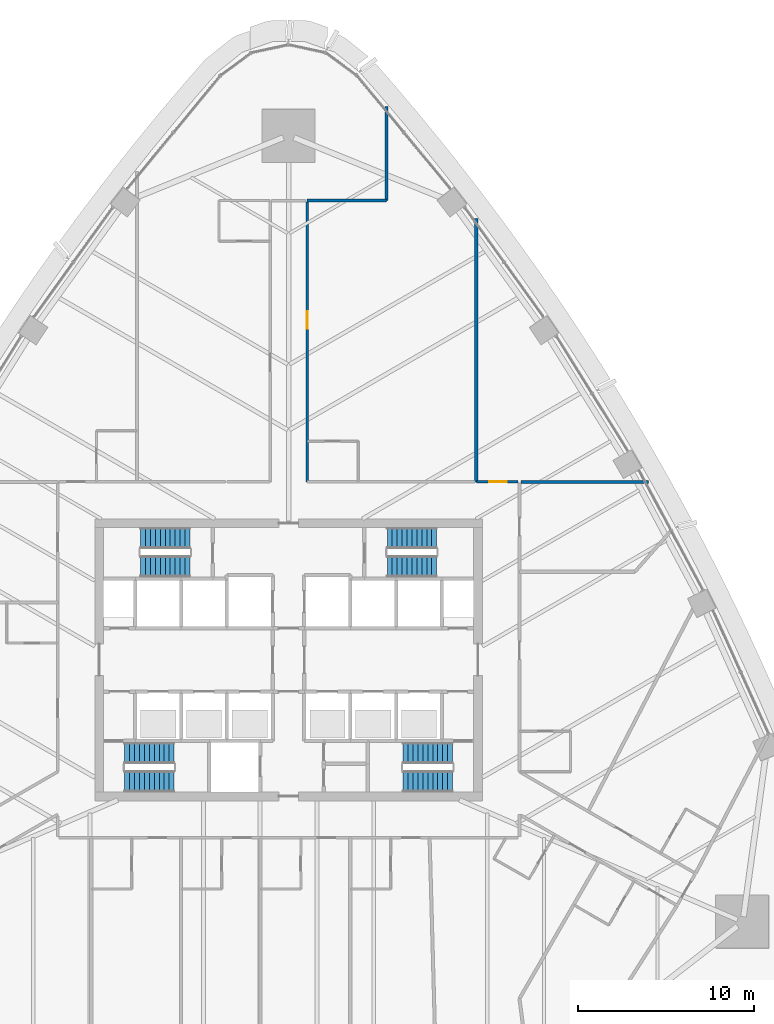
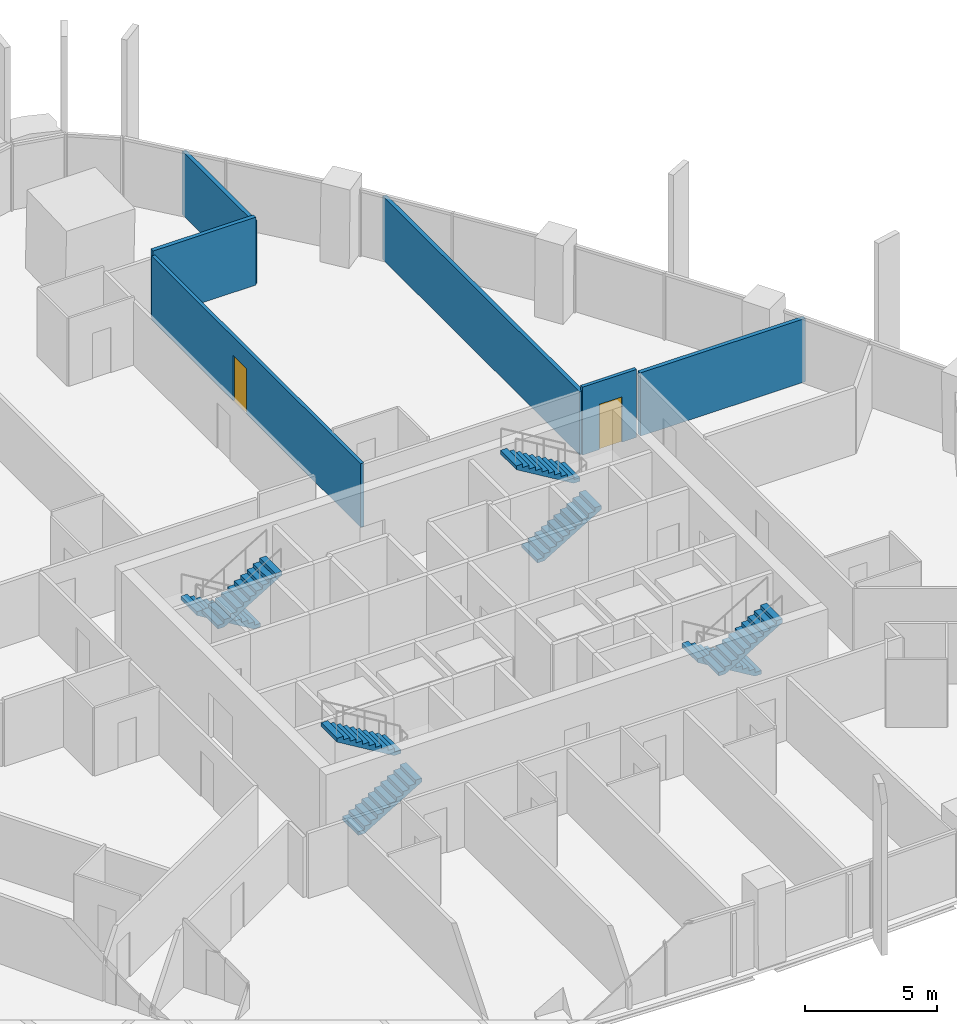
# One storey, part 14 of 22: 8 stair flights, 6 walls, 2 doors, 2 openings, 4 elements without a shape of their own.
"""IFC4 building model written with IfcOpenShell, lengths in metres."""

from ifc_helpers import new_model, si_unit, direction, frame, frame_2d, origin, place, context, subcontext, project, spatial, polyline, rectangle, outline, extrude, material, layer, layer_set, type_object, element, fill, aggregate, save


model = new_model("IFC4")

# Units and contexts
model_context = context("Model", 3, precision=1e-05, world=origin(), true_north=direction((0.0, 1.0)))
body_context = subcontext(model_context, "Body", "Model", "MODEL_VIEW")
ifc_project = project(units=[si_unit("LENGTHUNIT", "METRE"), si_unit("AREAUNIT", "SQUARE_METRE"), si_unit("VOLUMEUNIT", "CUBIC_METRE"), si_unit("PLANEANGLEUNIT", "RADIAN"), si_unit("MASSUNIT", "GRAM", prefix="KILO")], contexts=[model_context])

# Site, building, storey
site_placement = place(None, origin())
site = spatial("IfcSite", under=ifc_project, at=site_placement, CompositionType="ELEMENT")
building_placement = place(site_placement, origin())
building = spatial("IfcBuilding", under=site, at=building_placement, Name="Sierra Prisma Convention Tower", CompositionType="ELEMENT")
storey_placement = place(building_placement, frame((0.0, 0.0, 96.10009765625)))
storey = spatial("IfcBuildingStorey", under=building, at=storey_placement, Name="L20", CompositionType="ELEMENT", Elevation=96.10009765625)

# Wall, opening, door
ifc_material_1 = material(Name="Gypsum board partition", Category="gypsum")
ifc_layer_1 = layer(ifc_material_1, 0.14990234375)
ifc_layer_set_1 = layer_set([ifc_layer_1], Name="Corridor wall 150 gypsum EI 60")
wall_type_1 = type_object("IfcWallType", Name="Corridor wall 150 gypsum EI 60", PredefinedType="PARTITIONING", material=ifc_layer_set_1)
wall_1_placement = place(storey_placement, frame((1.050048828125, 10.10009765625, 0.0), z_axis=(0.0, 0.0, 1.0), x_axis=(0.0, 1.0, 0.0)))
wall_1 = element("IfcWall", 1, at=wall_1_placement, inside=storey, type_object=wall_type_1, Name="Partition L20 corr 12", PredefinedType="PARTITIONING", context=body_context, shape_type="SweptSolid", body=[
    extrude(rectangle(XDim=15.87890625, YDim=0.14990234375, at=frame_2d((7.939453125, 0.0))), origin(), (0.0, 0.0, 1.0), 2.947021484375),
])
opening_1_placement = place(wall_1_placement, frame((8.679443359375, 0.0, 0.0)))
opening_1 = element("IfcOpeningElement", 2, at=opening_1_placement, cuts=wall_1, Name="Opening L20-D040", PredefinedType="OPENING", context=body_context, shape_type="SweptSolid", body=[
    extrude(rectangle(XDim=1.0, YDim=2.10009765625, at=frame_2d((0.5, 1.050048828125))), frame((0.0, 0.074951171875, 0.0), z_axis=(0.0, -1.0, 0.0), x_axis=(1.0, 0.0, 0.0)), (0.0, 0.0, 1.0), 0.14990234375),
])
ifc_material_2 = material(Name="Steel fire door leaf", Category="steel")
door_type = type_object("IfcDoorType", Name="Door 1000x2100 FD30S", OperationType="SINGLE_SWING_LEFT", PredefinedType="DOOR", material=ifc_material_2)
door_1_placement = place(opening_1_placement, origin())
door_1 = element("IfcDoor", 3, at=door_1_placement, inside=storey, type_object=door_type, Name="Door L20 3", OperationType="SINGLE_SWING_RIGHT", OverallHeight=2.10009765625, OverallWidth=1.0, PredefinedType="DOOR", context=body_context, shape_type="SweptSolid", body=[
    extrude(rectangle(XDim=1.0, YDim=2.10009765625, at=frame_2d((0.5, 1.050048828125))), frame((0.0, 0.02490234375, 0.0), z_axis=(0.0, -1.0, 0.0), x_axis=(1.0, 0.0, 0.0)), (0.0, 0.0, 1.0), 0.050048828125),
])
fill(opening_1, door_1)

wall_2_placement = place(storey_placement, frame((13.02001953125, 10.10009765625, 0.0), z_axis=(0.0, 0.0, 1.0), x_axis=(-1.0, 0.0, 0.0)))
wall_2 = element("IfcWall", 4, at=wall_2_placement, inside=storey, type_object=wall_type_1, Name="Partition L20 corr 13", PredefinedType="PARTITIONING", context=body_context, shape_type="SweptSolid", body=[
    extrude(rectangle(XDim=2.3701171875, YDim=0.14990234375, at=frame_2d((1.18505859375, 0.0))), origin(), (0.0, 0.0, 1.0), 3.14990234375),
])
opening_2_placement = place(wall_2_placement, frame((0.635009765625, 0.0, 0.0)))
opening_2 = element("IfcOpeningElement", 5, at=opening_2_placement, cuts=wall_2, Name="Opening L20-D039", PredefinedType="OPENING", context=body_context, shape_type="SweptSolid", body=[
    extrude(rectangle(XDim=1.0, YDim=2.10009765625, at=frame_2d((0.5, 1.050048828125))), frame((0.0, 0.074951171875, 0.0), z_axis=(0.0, -1.0, 0.0), x_axis=(1.0, 0.0, 0.0)), (0.0, 0.0, 1.0), 0.14990234375),
])
door_2_placement = place(opening_2_placement, origin())
door_2 = element("IfcDoor", 6, at=door_2_placement, inside=storey, type_object=door_type, Name="Door L20 2", OperationType="SINGLE_SWING_LEFT", OverallHeight=2.10009765625, OverallWidth=1.0, PredefinedType="DOOR", context=body_context, shape_type="SweptSolid", body=[
    extrude(rectangle(XDim=1.0, YDim=2.10009765625, at=frame_2d((0.5, 1.050048828125))), frame((0.0, 0.02490234375, 0.0), z_axis=(0.0, -1.0, 0.0), x_axis=(1.0, 0.0, 0.0)), (0.0, 0.0, 1.0), 0.050048828125),
])
fill(opening_2, door_2)

# Walls
ifc_material_3 = material(Name="Acoustic gypsum board partition", Category="gypsum")
ifc_layer_2 = layer(ifc_material_3, 0.175048828125)
ifc_layer_set_2 = layer_set([ifc_layer_2], Name="Guest room party wall 175 acoustic EI 60")
wall_type_2 = type_object("IfcWallType", Name="Guest room party wall 175 acoustic EI 60", PredefinedType="PARTITIONING", material=ifc_layer_set_2)
wall_3_placement = place(storey_placement, frame((1.050048828125, 26.05908203125, 0.0), z_axis=(0.0, 0.0, 1.0), x_axis=(1.0, 0.0, 0.0)))
element("IfcWall", 7, at=wall_3_placement, inside=storey, type_object=wall_type_2, Name="Partition L20 hparty 12", PredefinedType="PARTITIONING", context=body_context, shape_type="SweptSolid", body=[
    extrude(rectangle(XDim=4.5, YDim=0.175048828125, at=frame_2d((2.25, 0.0))), origin(), (0.0, 0.0, 1.0), 3.14990234375),
])
wall_4_placement = place(storey_placement, frame((5.550048828125, 26.05908203125, 0.0), z_axis=(0.0, 0.0, 1.0), x_axis=(0.0, 1.0, 0.0)))
element("IfcWall", 8, at=wall_4_placement, inside=storey, type_object=wall_type_2, Name="Partition L20 hparty 13", PredefinedType="PARTITIONING", context=body_context, shape_type="SweptSolid", body=[
    extrude(rectangle(XDim=5.35400390625, YDim=0.175048828125, at=frame_2d((2.677001953125, 0.0))), origin(), (0.0, 0.0, 1.0), 2.933837890625),
])
wall_5_placement = place(storey_placement, frame((10.64990234375, 25.04052734375, 0.0), z_axis=(0.0, 0.0, 1.0), x_axis=(0.0, -1.0, 0.0)))
element("IfcWall", 9, at=wall_5_placement, inside=storey, type_object=wall_type_2, Name="Partition L20 hparty 16", PredefinedType="PARTITIONING", context=body_context, shape_type="SweptSolid", body=[
    extrude(rectangle(XDim=14.9404296875, YDim=0.175048828125, at=frame_2d((7.47021484375, 0.0))), origin(), (0.0, 0.0, 1.0), 2.933837890625),
])
wall_6_placement = place(storey_placement, frame((13.179931640625, 10.10009765625, 0.0), z_axis=(0.0, 0.0, 1.0), x_axis=(1.0, 0.0, 0.0)))
element("IfcWall", 10, at=wall_6_placement, inside=storey, type_object=wall_type_2, Name="Partition L20 hparty 21", PredefinedType="PARTITIONING", context=body_context, shape_type="SweptSolid", body=[
    extrude(rectangle(XDim=7.234619140625, YDim=0.175048828125, at=frame_2d((3.6171875, 0.0))), origin(), (0.0, 0.0, 1.0), 2.933837890625),
])

# Stair, stair flights
ifc_material_4 = material(Name="Concrete C30/37", Category="concrete")
stair_type = type_object("IfcStairType", Name="Stair dog-leg 1200 RC", PredefinedType="HALF_TURN_STAIR", material=ifc_material_4)
stair_1_placement = place(storey_placement, origin())
stair_1 = element("IfcStair", 11, at=stair_1_placement, inside=storey, type_object=stair_type, Name="L20 S1", PredefinedType="HALF_TURN_STAIR")
ifc_material_5 = material(Name="Concrete C30/37", Category="concrete")
stair_flight_type = type_object("IfcStairFlightType", Name="Stair flight RC 1200", PredefinedType="STRAIGHT", material=ifc_material_5)
stair_flight_1_placement = place(storey_placement, frame((-9.300048828125, -6.89990234375, 0.0), z_axis=(0.0, 0.0, 1.0), x_axis=(1.0, 0.0, 0.0)))
stair_flight_1 = element("IfcStairFlight", 12, at=stair_flight_1_placement, type_object=stair_flight_type, Name="S1 flight 1", NumberOfRisers=11, NumberOfTreads=10, PredefinedType="STRAIGHT", RiserHeight=0.168181818, TreadLength=0.28, context=body_context, shape_type="SweptSolid", body=[
    extrude(outline(polyline([(0.0, 0.0), (0.0, 0.168212890625), (0.280029296875, 0.168212890625), (0.280029296875, 0.33642578125), (0.56005859375, 0.33642578125), (0.56005859375, 0.504638671875), (0.840087890625, 0.504638671875), (0.840087890625, 0.672607421875), (1.1201171875, 0.672607421875), (1.1201171875, 0.8408203125), (1.39990234375, 0.8408203125), (1.39990234375, 1.009033203125), (1.679931640625, 1.009033203125), (1.679931640625, 1.17724609375), (1.9599609375, 1.17724609375), (1.9599609375, 1.345458984375), (2.239990234375, 1.345458984375), (2.239990234375, 1.513671875), (2.52001953125, 1.513671875), (2.52001953125, 1.681884765625), (2.800048828125, 1.681884765625), (2.800048828125, 1.85009765625), (2.800048828125, 1.5068359375), (0.291015625, 0.0), (0.0, 0.0)])), frame((0.0, 0.60009765625, 0.0), z_axis=(0.0, -1.0, 0.0), x_axis=(1.0, 0.0, 0.0)), (0.0, 0.0, 1.0), 1.199951171875),
])
stair_flight_2_placement = place(storey_placement, frame((-6.5, -5.300048828125, 1.849853515625), z_axis=(0.0, 0.0, 1.0), x_axis=(-1.0, 0.0, 0.0)))
stair_flight_2 = element("IfcStairFlight", 13, at=stair_flight_2_placement, type_object=stair_flight_type, Name="S1 flight 2", NumberOfRisers=11, NumberOfTreads=10, PredefinedType="STRAIGHT", RiserHeight=0.168181818, TreadLength=0.28, context=body_context, shape_type="SweptSolid", body=[
    extrude(outline(polyline([(0.0, 0.0), (0.0, 0.168212890625), (0.280029296875, 0.168212890625), (0.280029296875, 0.33642578125), (0.56005859375, 0.33642578125), (0.56005859375, 0.504638671875), (0.840087890625, 0.504638671875), (0.840087890625, 0.672607421875), (1.1201171875, 0.672607421875), (1.1201171875, 0.8408203125), (1.39990234375, 0.8408203125), (1.39990234375, 1.009033203125), (1.679931640625, 1.009033203125), (1.679931640625, 1.17724609375), (1.9599609375, 1.17724609375), (1.9599609375, 1.345458984375), (2.239990234375, 1.345458984375), (2.239990234375, 1.513671875), (2.52001953125, 1.513671875), (2.52001953125, 1.681884765625), (2.800048828125, 1.681884765625), (2.800048828125, 1.85009765625), (2.800048828125, 1.5068359375), (0.291015625, 0.0), (0.0, 0.0)])), frame((0.0, 0.60009765625, 0.0), z_axis=(0.0, -1.0, 0.0), x_axis=(1.0, 0.0, 0.0)), (0.0, 0.0, 1.0), 1.199951171875),
])
aggregate(stair_1, [stair_flight_1, stair_flight_2])

stair_2_placement = place(storey_placement, origin())
stair_2 = element("IfcStair", 14, at=stair_2_placement, inside=storey, type_object=stair_type, Name="L20 S2", PredefinedType="HALF_TURN_STAIR")
stair_flight_3_placement = place(storey_placement, frame((9.300048828125, -5.300048828125, 0.0), z_axis=(0.0, 0.0, 1.0), x_axis=(-1.0, 0.0, 0.0)))
stair_flight_3 = element("IfcStairFlight", 15, at=stair_flight_3_placement, type_object=stair_flight_type, Name="S2 flight 1", NumberOfRisers=11, NumberOfTreads=10, PredefinedType="STRAIGHT", RiserHeight=0.168181818, TreadLength=0.28, context=body_context, shape_type="SweptSolid", body=[
    extrude(outline(polyline([(0.0, 0.0), (0.0, 0.168212890625), (0.280029296875, 0.168212890625), (0.280029296875, 0.33642578125), (0.56005859375, 0.33642578125), (0.56005859375, 0.504638671875), (0.840087890625, 0.504638671875), (0.840087890625, 0.672607421875), (1.1201171875, 0.672607421875), (1.1201171875, 0.8408203125), (1.39990234375, 0.8408203125), (1.39990234375, 1.009033203125), (1.679931640625, 1.009033203125), (1.679931640625, 1.17724609375), (1.9599609375, 1.17724609375), (1.9599609375, 1.345458984375), (2.239990234375, 1.345458984375), (2.239990234375, 1.513671875), (2.52001953125, 1.513671875), (2.52001953125, 1.681884765625), (2.800048828125, 1.681884765625), (2.800048828125, 1.85009765625), (2.800048828125, 1.5068359375), (0.291015625, 0.0), (0.0, 0.0)])), frame((0.0, 0.60009765625, 0.0), z_axis=(0.0, -1.0, 0.0), x_axis=(1.0, 0.0, 0.0)), (0.0, 0.0, 1.0), 1.199951171875),
])
stair_flight_4_placement = place(storey_placement, frame((6.5, -6.89990234375, 1.849853515625), z_axis=(0.0, 0.0, 1.0), x_axis=(1.0, 0.0, 0.0)))
stair_flight_4 = element("IfcStairFlight", 16, at=stair_flight_4_placement, type_object=stair_flight_type, Name="S2 flight 2", NumberOfRisers=11, NumberOfTreads=10, PredefinedType="STRAIGHT", RiserHeight=0.168181818, TreadLength=0.28, context=body_context, shape_type="SweptSolid", body=[
    extrude(outline(polyline([(0.0, 0.0), (0.0, 0.168212890625), (0.280029296875, 0.168212890625), (0.280029296875, 0.33642578125), (0.56005859375, 0.33642578125), (0.56005859375, 0.504638671875), (0.840087890625, 0.504638671875), (0.840087890625, 0.672607421875), (1.1201171875, 0.672607421875), (1.1201171875, 0.8408203125), (1.39990234375, 0.8408203125), (1.39990234375, 1.009033203125), (1.679931640625, 1.009033203125), (1.679931640625, 1.17724609375), (1.9599609375, 1.17724609375), (1.9599609375, 1.345458984375), (2.239990234375, 1.345458984375), (2.239990234375, 1.513671875), (2.52001953125, 1.513671875), (2.52001953125, 1.681884765625), (2.800048828125, 1.681884765625), (2.800048828125, 1.85009765625), (2.800048828125, 1.5068359375), (0.291015625, 0.0), (0.0, 0.0)])), frame((0.0, 0.60009765625, 0.0), z_axis=(0.0, -1.0, 0.0), x_axis=(1.0, 0.0, 0.0)), (0.0, 0.0, 1.0), 1.199951171875),
])
aggregate(stair_2, [stair_flight_3, stair_flight_4])

stair_3_placement = place(storey_placement, origin())
stair_3 = element("IfcStair", 17, at=stair_3_placement, inside=storey, type_object=stair_type, Name="L20 S3", PredefinedType="HALF_TURN_STAIR")
stair_flight_5_placement = place(storey_placement, frame((-5.60009765625, 6.89990234375, 0.0), z_axis=(0.0, 0.0, 1.0), x_axis=(-1.0, 0.0, 0.0)))
stair_flight_5 = element("IfcStairFlight", 18, at=stair_flight_5_placement, type_object=stair_flight_type, Name="S3 flight 1", NumberOfRisers=11, NumberOfTreads=10, PredefinedType="STRAIGHT", RiserHeight=0.168181818, TreadLength=0.28, context=body_context, shape_type="SweptSolid", body=[
    extrude(outline(polyline([(0.0, 0.0), (0.0, 0.168212890625), (0.280029296875, 0.168212890625), (0.280029296875, 0.33642578125), (0.56005859375, 0.33642578125), (0.56005859375, 0.504638671875), (0.840087890625, 0.504638671875), (0.840087890625, 0.672607421875), (1.1201171875, 0.672607421875), (1.1201171875, 0.8408203125), (1.39990234375, 0.8408203125), (1.39990234375, 1.009033203125), (1.679931640625, 1.009033203125), (1.679931640625, 1.17724609375), (1.9599609375, 1.17724609375), (1.9599609375, 1.345458984375), (2.239990234375, 1.345458984375), (2.239990234375, 1.513671875), (2.52001953125, 1.513671875), (2.52001953125, 1.681884765625), (2.800048828125, 1.681884765625), (2.800048828125, 1.85009765625), (2.800048828125, 1.5068359375), (0.291015625, 0.0), (0.0, 0.0)])), frame((0.0, 0.60009765625, 0.0), z_axis=(0.0, -1.0, 0.0), x_axis=(1.0, 0.0, 0.0)), (0.0, 0.0, 1.0), 1.199951171875),
])
stair_flight_6_placement = place(storey_placement, frame((-8.39990234375, 5.300048828125, 1.849853515625), z_axis=(0.0, 0.0, 1.0), x_axis=(1.0, 0.0, 0.0)))
stair_flight_6 = element("IfcStairFlight", 19, at=stair_flight_6_placement, type_object=stair_flight_type, Name="S3 flight 2", NumberOfRisers=11, NumberOfTreads=10, PredefinedType="STRAIGHT", RiserHeight=0.168181818, TreadLength=0.28, context=body_context, shape_type="SweptSolid", body=[
    extrude(outline(polyline([(0.0, 0.0), (0.0, 0.168212890625), (0.280029296875, 0.168212890625), (0.280029296875, 0.33642578125), (0.56005859375, 0.33642578125), (0.56005859375, 0.504638671875), (0.840087890625, 0.504638671875), (0.840087890625, 0.672607421875), (1.1201171875, 0.672607421875), (1.1201171875, 0.8408203125), (1.39990234375, 0.8408203125), (1.39990234375, 1.009033203125), (1.679931640625, 1.009033203125), (1.679931640625, 1.17724609375), (1.9599609375, 1.17724609375), (1.9599609375, 1.345458984375), (2.239990234375, 1.345458984375), (2.239990234375, 1.513671875), (2.52001953125, 1.513671875), (2.52001953125, 1.681884765625), (2.800048828125, 1.681884765625), (2.800048828125, 1.85009765625), (2.800048828125, 1.5068359375), (0.291015625, 0.0), (0.0, 0.0)])), frame((0.0, 0.60009765625, 0.0), z_axis=(0.0, -1.0, 0.0), x_axis=(1.0, 0.0, 0.0)), (0.0, 0.0, 1.0), 1.199951171875),
])
aggregate(stair_3, [stair_flight_5, stair_flight_6])

stair_4_placement = place(storey_placement, origin())
stair_4 = element("IfcStair", 20, at=stair_4_placement, inside=storey, type_object=stair_type, Name="L20 S4", PredefinedType="HALF_TURN_STAIR")
stair_flight_7_placement = place(storey_placement, frame((5.60009765625, 5.300048828125, 0.0), z_axis=(0.0, 0.0, 1.0), x_axis=(1.0, 0.0, 0.0)))
stair_flight_7 = element("IfcStairFlight", 21, at=stair_flight_7_placement, type_object=stair_flight_type, Name="S4 flight 1", NumberOfRisers=11, NumberOfTreads=10, PredefinedType="STRAIGHT", RiserHeight=0.168181818, TreadLength=0.28, context=body_context, shape_type="SweptSolid", body=[
    extrude(outline(polyline([(0.0, 0.0), (0.0, 0.168212890625), (0.280029296875, 0.168212890625), (0.280029296875, 0.33642578125), (0.56005859375, 0.33642578125), (0.56005859375, 0.504638671875), (0.840087890625, 0.504638671875), (0.840087890625, 0.672607421875), (1.1201171875, 0.672607421875), (1.1201171875, 0.8408203125), (1.39990234375, 0.8408203125), (1.39990234375, 1.009033203125), (1.679931640625, 1.009033203125), (1.679931640625, 1.17724609375), (1.9599609375, 1.17724609375), (1.9599609375, 1.345458984375), (2.239990234375, 1.345458984375), (2.239990234375, 1.513671875), (2.52001953125, 1.513671875), (2.52001953125, 1.681884765625), (2.800048828125, 1.681884765625), (2.800048828125, 1.85009765625), (2.800048828125, 1.5068359375), (0.291015625, 0.0), (0.0, 0.0)])), frame((0.0, 0.60009765625, 0.0), z_axis=(0.0, -1.0, 0.0), x_axis=(1.0, 0.0, 0.0)), (0.0, 0.0, 1.0), 1.199951171875),
])
stair_flight_8_placement = place(storey_placement, frame((8.39990234375, 6.89990234375, 1.849853515625), z_axis=(0.0, 0.0, 1.0), x_axis=(-1.0, 0.0, 0.0)))
stair_flight_8 = element("IfcStairFlight", 22, at=stair_flight_8_placement, type_object=stair_flight_type, Name="S4 flight 2", NumberOfRisers=11, NumberOfTreads=10, PredefinedType="STRAIGHT", RiserHeight=0.168181818, TreadLength=0.28, context=body_context, shape_type="SweptSolid", body=[
    extrude(outline(polyline([(0.0, 0.0), (0.0, 0.168212890625), (0.280029296875, 0.168212890625), (0.280029296875, 0.33642578125), (0.56005859375, 0.33642578125), (0.56005859375, 0.504638671875), (0.840087890625, 0.504638671875), (0.840087890625, 0.672607421875), (1.1201171875, 0.672607421875), (1.1201171875, 0.8408203125), (1.39990234375, 0.8408203125), (1.39990234375, 1.009033203125), (1.679931640625, 1.009033203125), (1.679931640625, 1.17724609375), (1.9599609375, 1.17724609375), (1.9599609375, 1.345458984375), (2.239990234375, 1.345458984375), (2.239990234375, 1.513671875), (2.52001953125, 1.513671875), (2.52001953125, 1.681884765625), (2.800048828125, 1.681884765625), (2.800048828125, 1.85009765625), (2.800048828125, 1.5068359375), (0.291015625, 0.0), (0.0, 0.0)])), frame((0.0, 0.60009765625, 0.0), z_axis=(0.0, -1.0, 0.0), x_axis=(1.0, 0.0, 0.0)), (0.0, 0.0, 1.0), 1.199951171875),
])
aggregate(stair_4, [stair_flight_7, stair_flight_8])

save(model, "model.ifc")
